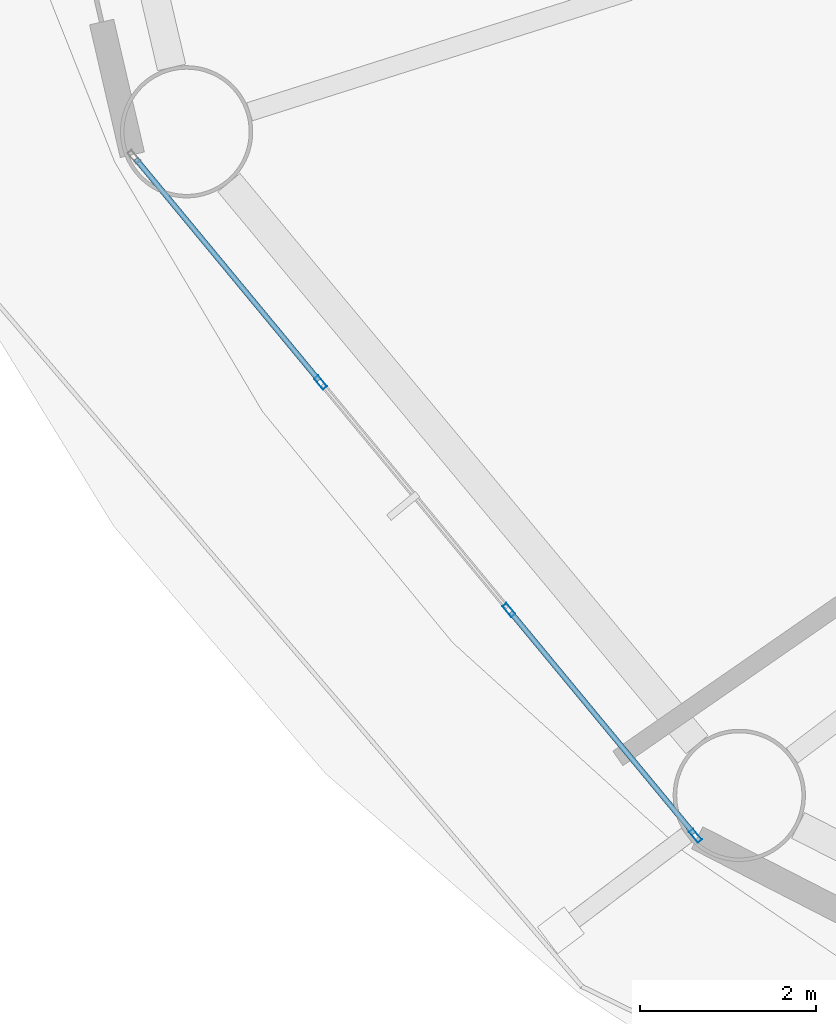
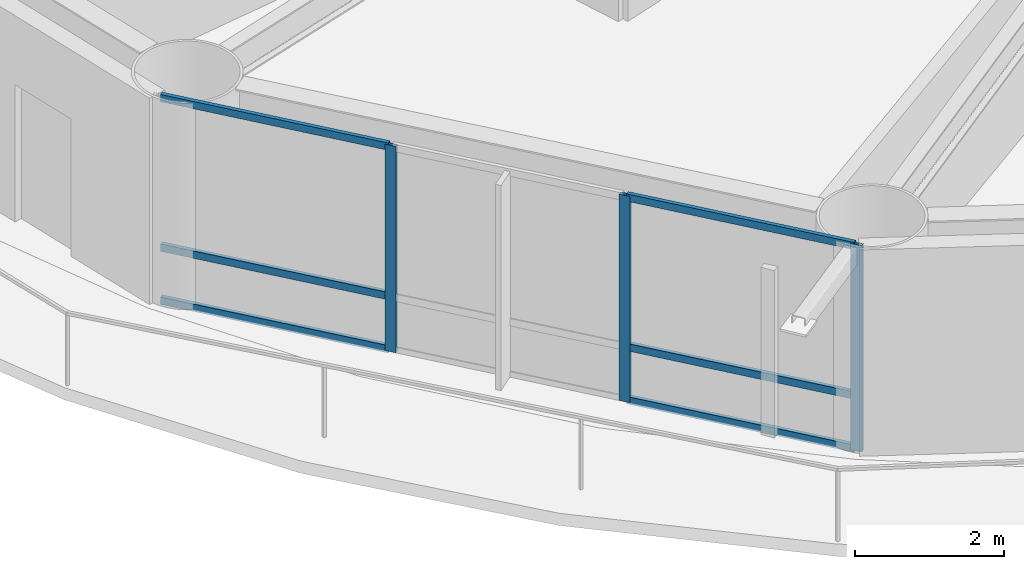
# One storey, part 2 of 28: 9 members, 1 element without a shape of its own.
"""IFC4 building model written with IfcOpenShell, lengths in metres."""

from ifc_helpers import new_model, si_unit, direction, frame, origin, origin_2d, place, context, subcontext, project, spatial, hollow_rectangle, extrude, material, layer, layer_set, material_profile, profile_set, type_object, element, aggregate, save


model = new_model("IFC4")

# Units and contexts
model_context = context("Model", 3, precision=1e-05, world=origin(), true_north=direction((0.0, 1.0)))
body_context = subcontext(model_context, "Body", "Model", "MODEL_VIEW")
ifc_project = project(units=[si_unit("LENGTHUNIT", "METRE"), si_unit("AREAUNIT", "SQUARE_METRE"), si_unit("VOLUMEUNIT", "CUBIC_METRE"), si_unit("PLANEANGLEUNIT", "RADIAN"), si_unit("MASSUNIT", "GRAM", prefix="KILO")], contexts=[model_context])

# Site, building, storey
site_placement = place(None, origin())
site = spatial("IfcSite", under=ifc_project, at=site_placement, CompositionType="ELEMENT")
building_placement = place(site_placement, origin())
building = spatial("IfcBuilding", under=site, at=building_placement, Name="Sarneth Arch Tower", CompositionType="ELEMENT")
storey_placement = place(building_placement, frame((0.0, 0.0, 67.800048828125)))
storey = spatial("IfcBuildingStorey", under=building, at=storey_placement, Name="L16", CompositionType="ELEMENT", Elevation=67.800048828125)

# Curtain wall, members
ifc_material_1 = material(Name="Anodised aluminium Type AA25 and solar-control low-e laminated IGU", Category="aluminium")
ifc_layer = layer(ifc_material_1, 0.159912109375)
ifc_layer_set = layer_set([ifc_layer], Name="Anodised aluminium Type AA25 and solar-control low-e laminated IGU")
curtain_wall_type = type_object("IfcCurtainWallType", Name="CW-HOTEL-LOW", PredefinedType="NOTDEFINED", material=ifc_layer_set)
curtain_wall_placement = place(storey_placement, origin())
curtain_wall = element("IfcCurtainWall", 1, at=curtain_wall_placement, inside=storey, type_object=curtain_wall_type, Name="L16 Unitised curtain wall facet 10", PredefinedType="NOTDEFINED")
ifc_material_2 = material(Name="Anodised Aluminium 6063-T6", Category="aluminium")
ifc_material_profile_1 = material_profile(ifc_material_2, hollow_rectangle(XDim=0.06005859375, YDim=0.159912109375, WallThickness=0.00390625, at=origin_2d()), Name="AL-MULL-160x60x4")
ifc_profile_set_1 = profile_set([ifc_material_profile_1], Name="Anodised Aluminium 6063-T6")
member_type_1 = type_object("IfcMemberType", Name="CW-MULLION", PredefinedType="MULLION", material=ifc_profile_set_1)
member_1_placement = place(storey_placement, frame((21.5546875, 30.279052734375, 0.0), z_axis=(0.0, 0.0, 1.0), x_axis=(0.770622960278, 0.637291340827, 0.0)))
member_1 = element("IfcMember", 2, at=member_1_placement, type_object=member_type_1, Name="CW-SYS-3 mullion 2", PredefinedType="MULLION", context=body_context, shape_type="SweptSolid", body=[
    extrude(hollow_rectangle(XDim=0.06005859375, YDim=0.159912109375, WallThickness=0.00390625, at=origin_2d()), origin(), (0.0, 0.0, 1.0), 3.3798828125),
])
member_2_placement = place(storey_placement, frame((23.690185546875, 27.69677734375, 0.0), z_axis=(0.0, 0.0, 1.0), x_axis=(0.770622960278, 0.637291340827, 0.0)))
member_2 = element("IfcMember", 3, at=member_2_placement, type_object=member_type_1, Name="CW-SYS-3 mullion 3", PredefinedType="MULLION", context=body_context, shape_type="SweptSolid", body=[
    extrude(hollow_rectangle(XDim=0.06005859375, YDim=0.159912109375, WallThickness=0.00390625, at=origin_2d()), origin(), (0.0, 0.0, 1.0), 3.3798828125),
])
member_3_placement = place(storey_placement, frame((25.806640625, 25.137451171875, 0.0), z_axis=(0.0, 0.0, 1.0), x_axis=(0.770622960278, 0.637291340827, 0.0)))
member_3 = element("IfcMember", 4, at=member_3_placement, type_object=member_type_1, Name="CW-SYS-3 mullion 4", PredefinedType="MULLION", context=body_context, shape_type="SweptSolid", body=[
    extrude(hollow_rectangle(XDim=0.06005859375, YDim=0.159912109375, WallThickness=0.00390625, at=origin_2d()), origin(), (0.0, 0.0, 1.0), 3.3798828125),
])
ifc_material_3 = material(Name="Anodised Aluminium 6063-T6", Category="aluminium")
ifc_material_profile_2 = material_profile(ifc_material_3, hollow_rectangle(XDim=0.06005859375, YDim=0.1201171875, WallThickness=0.00390625, at=origin_2d()), Name="AL-TRAN-120x60x4")
ifc_profile_set_2 = profile_set([ifc_material_profile_2], Name="Anodised Aluminium 6063-T6")
member_type_2 = type_object("IfcMemberType", Name="CW-TRANSOM", PredefinedType="USERDEFINED", material=ifc_profile_set_2)
member_4_placement = place(storey_placement, frame((19.457275390625, 32.815185546875, 0.030029296875), z_axis=(0.63733019572, -0.77059082633, 0.0), x_axis=(0.77059082633, 0.63733019572, 0.0)))
member_4 = element("IfcMember", 5, at=member_4_placement, type_object=member_type_2, Name="CW-SYS-3 transom 1.1", ObjectType="TRANSOM", PredefinedType="USERDEFINED", context=body_context, shape_type="SweptSolid", body=[
    extrude(hollow_rectangle(XDim=0.06005859375, YDim=0.1201171875, WallThickness=0.00390625, at=origin_2d()), origin(), (0.0, 0.0, 1.0), 3.260986328125),
])
member_5_placement = place(storey_placement, frame((19.457275390625, 32.815185546875, 0.89990234375), z_axis=(0.63733019572, -0.77059082633, 0.0), x_axis=(0.77059082633, 0.63733019572, 0.0)))
member_5 = element("IfcMember", 6, at=member_5_placement, type_object=member_type_2, Name="CW-SYS-3 transom 1.2", ObjectType="TRANSOM", PredefinedType="USERDEFINED", context=body_context, shape_type="SweptSolid", body=[
    extrude(hollow_rectangle(XDim=0.06005859375, YDim=0.1201171875, WallThickness=0.00390625, at=origin_2d()), origin(), (0.0, 0.0, 1.0), 3.260986328125),
])
member_6_placement = place(storey_placement, frame((19.457275390625, 32.815185546875, 3.349853515625), z_axis=(0.63733019572, -0.77059082633, 0.0), x_axis=(0.77059082633, 0.63733019572, 0.0)))
member_6 = element("IfcMember", 7, at=member_6_placement, type_object=member_type_2, Name="CW-SYS-3 transom 1.3", ObjectType="TRANSOM", PredefinedType="USERDEFINED", context=body_context, shape_type="SweptSolid", body=[
    extrude(hollow_rectangle(XDim=0.06005859375, YDim=0.1201171875, WallThickness=0.00390625, at=origin_2d()), origin(), (0.0, 0.0, 1.0), 3.260986328125),
])
member_7_placement = place(storey_placement, frame((23.70947265625, 27.673583984375, 0.030029296875), z_axis=(0.637285736625, -0.770627594817, 0.0), x_axis=(0.770627594817, 0.637285736625, 0.0)))
member_7 = element("IfcMember", 8, at=member_7_placement, type_object=member_type_2, Name="CW-SYS-3 transom 3.1", ObjectType="TRANSOM", PredefinedType="USERDEFINED", context=body_context, shape_type="SweptSolid", body=[
    extrude(hollow_rectangle(XDim=0.06005859375, YDim=0.1201171875, WallThickness=0.00390625, at=origin_2d()), origin(), (0.0, 0.0, 1.0), 3.260986328125),
])
member_8_placement = place(storey_placement, frame((23.70947265625, 27.673583984375, 0.89990234375), z_axis=(0.637285736625, -0.770627594817, 0.0), x_axis=(0.770627594817, 0.637285736625, 0.0)))
member_8 = element("IfcMember", 9, at=member_8_placement, type_object=member_type_2, Name="CW-SYS-3 transom 3.2", ObjectType="TRANSOM", PredefinedType="USERDEFINED", context=body_context, shape_type="SweptSolid", body=[
    extrude(hollow_rectangle(XDim=0.06005859375, YDim=0.1201171875, WallThickness=0.00390625, at=origin_2d()), origin(), (0.0, 0.0, 1.0), 3.260986328125),
])
member_9_placement = place(storey_placement, frame((23.70947265625, 27.673583984375, 3.349853515625), z_axis=(0.637285736625, -0.770627594817, 0.0), x_axis=(0.770627594817, 0.637285736625, 0.0)))
member_9 = element("IfcMember", 10, at=member_9_placement, type_object=member_type_2, Name="CW-SYS-3 transom 3.3", ObjectType="TRANSOM", PredefinedType="USERDEFINED", context=body_context, shape_type="SweptSolid", body=[
    extrude(hollow_rectangle(XDim=0.06005859375, YDim=0.1201171875, WallThickness=0.00390625, at=origin_2d()), origin(), (0.0, 0.0, 1.0), 3.260986328125),
])
aggregate(curtain_wall, [member_1, member_2, member_3, member_4, member_5, member_6, member_7, member_8, member_9])

save(model, "model.ifc")
